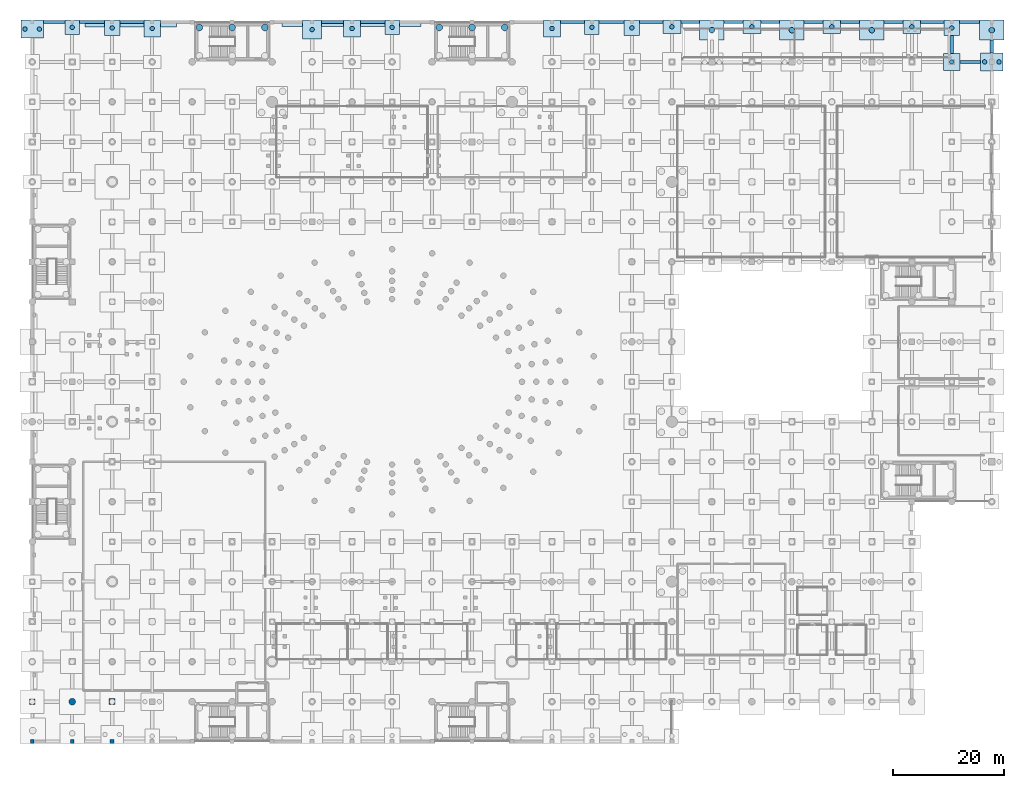
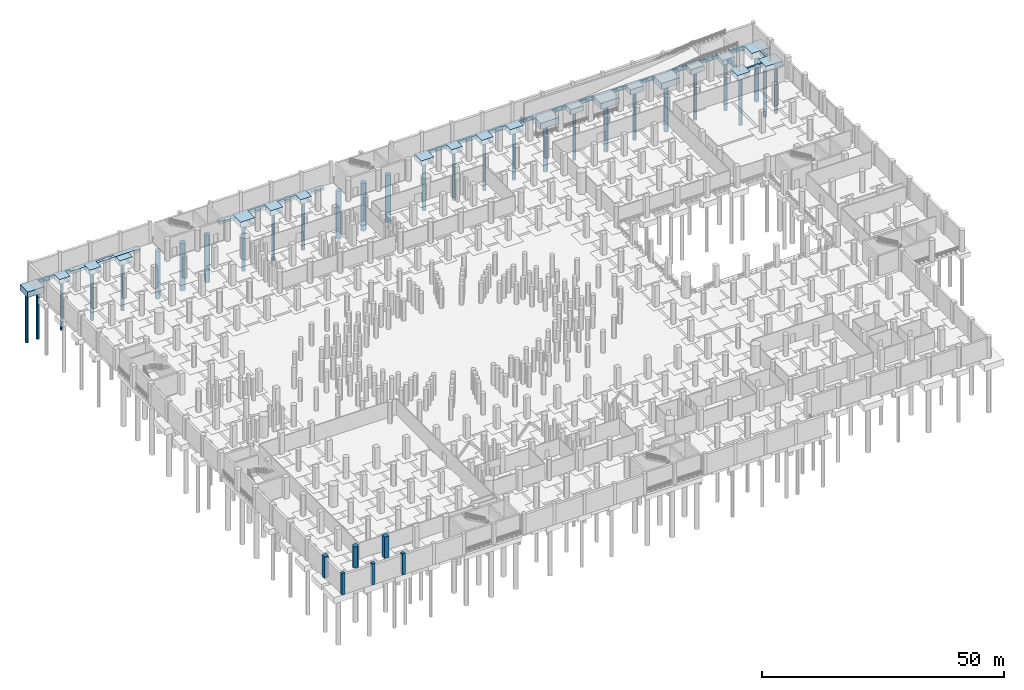
# One storey, part 16 of 37: 42 footings, 29 piles, 6 columns.
"""IFC4 building model written with IfcOpenShell, lengths in metres."""

from ifc_helpers import new_model, si_unit, direction, frame, origin, origin_2d, place, context, subcontext, project, spatial, rectangle, circle, extrude, material, material_profile, profile_set, type_object, element, save


model = new_model("IFC4")

# Units and contexts
model_context = context("Model", 3, precision=1e-05, world=origin(), true_north=direction((0.0, 1.0)))
body_context = subcontext(model_context, "Body", "Model", "MODEL_VIEW")
ifc_project = project(units=[si_unit("LENGTHUNIT", "METRE"), si_unit("AREAUNIT", "SQUARE_METRE"), si_unit("VOLUMEUNIT", "CUBIC_METRE"), si_unit("PLANEANGLEUNIT", "RADIAN"), si_unit("MASSUNIT", "GRAM", prefix="KILO")], contexts=[model_context])

# Site, building, storey
site_placement = place(None, origin())
site = spatial("IfcSite", under=ifc_project, at=site_placement, CompositionType="ELEMENT")
building_placement = place(site_placement, origin())
building = spatial("IfcBuilding", under=site, at=building_placement, Name="Qandorah Velis Arena", CompositionType="ELEMENT")
storey_placement = place(building_placement, frame((0.0, 0.0, -5.39990234375)))
storey = spatial("IfcBuildingStorey", under=building, at=storey_placement, Name="B1", CompositionType="ELEMENT", Elevation=-5.39990234375)

# Footings
ifc_material = material(Name="Concrete C40/50", Category="concrete")
footing_type_1 = type_object("IfcFootingType", Name="STR-CAP-PC10", PredefinedType="PILE_CAP", material=ifc_material)
for number, where, z_axis, x_axis, name in (
    (1, (7.199951171875, 128.6201171875, -1.2001953125), (0.0, 0.0, 1.0), (1.0, 0.0, 0.0), "Pile cap CAP-B1-037"),
    (2, (64.800048828125, 128.6201171875, -1.2001953125), (0.0, 0.0, 1.0), (1.0, 0.0, 0.0), "Pile cap CAP-B1-147"),
    (3, (100.800048828125, 128.6201171875, -1.2001953125), (0.0, 0.0, 1.0), (1.0, 0.0, 0.0), "Pile cap CAP-B1-207"),
):
    element("IfcFooting", number, at=place(storey_placement, frame(where, z_axis=z_axis, x_axis=x_axis)), inside=storey, type_object=footing_type_1, Name=name, PredefinedType="PILE_CAP", context=body_context, shape_type="SweptSolid", body=[
        extrude(rectangle(XDim=2.60009765625, YDim=2.60009765625, at=origin_2d()), origin(), (0.0, 0.0, 1.0), 1.199951171875),
    ])
footing_type_2 = type_object("IfcFootingType", Name="STR-CAP-PC14", PredefinedType="PILE_CAP", material=ifc_material)
for number, where, z_axis, x_axis, name in (
    (4, (0.0, 128.320068359375, -1.4501953125), (0.0, 0.0, 1.0), (1.0, 0.0, 0.0), "Pile cap CAP-B1-018"),
    (5, (172.800048828125, 122.39990234375, -1.4501953125), (0.0, 0.0, 1.0), (1.0, 0.0, 0.0), "Pile cap CAP-B1-358"),
):
    element("IfcFooting", number, at=place(storey_placement, frame(where, z_axis=z_axis, x_axis=x_axis)), inside=storey, type_object=footing_type_2, Name=name, PredefinedType="PILE_CAP", context=body_context, shape_type="SweptSolid", body=[
        extrude(rectangle(XDim=4.0, YDim=3.199951171875, at=origin_2d()), origin(), (0.0, 0.0, 1.0), 1.449951171875),
    ])
footing_type_3 = type_object("IfcFootingType", Name="STR-CAP-PC15", PredefinedType="PILE_CAP", material=ifc_material)
for number, where, z_axis, x_axis, name in (
    (6, (122.39990234375, 128.1201171875, -1.55029296875), (0.0, 0.0, 1.0), (1.0, 0.0, 0.0), "Pile cap CAP-B1-259"),
    (7, (136.800048828125, 128.1201171875, -1.55029296875), (0.0, 0.0, 1.0), (1.0, 0.0, 0.0), "Pile cap CAP-B1-289"),
    (8, (151.199951171875, 128.1201171875, -1.55029296875), (0.0, 0.0, 1.0), (1.0, 0.0, 0.0), "Pile cap CAP-B1-319"),
    (9, (172.800048828125, 128.1201171875, -1.55029296875), (0.0, 0.0, 1.0), (1.0, 0.0, 0.0), "Pile cap CAP-B1-359"),
):
    element("IfcFooting", number, at=place(storey_placement, frame(where, z_axis=z_axis, x_axis=x_axis)), inside=storey, type_object=footing_type_3, Name=name, PredefinedType="PILE_CAP", context=body_context, shape_type="SweptSolid", body=[
        extrude(rectangle(XDim=4.39990234375, YDim=3.60009765625, at=origin_2d()), origin(), (0.0, 0.0, 1.0), 1.550048828125),
    ])
footing_type_4 = type_object("IfcFootingType", Name="STR-CAP-PC6", PredefinedType="PILE_CAP", material=ifc_material)
footing_1_placement = place(storey_placement, frame((50.39990234375, 128.219970703125, -1.400146484375), z_axis=(0.0, 0.0, 1.0), x_axis=(1.0, 0.0, 0.0)))
element("IfcFooting", 10, at=footing_1_placement, inside=storey, type_object=footing_type_4, Name="Pile cap CAP-B1-123", PredefinedType="PILE_CAP", context=body_context, shape_type="SweptSolid", body=[
    extrude(rectangle(XDim=3.39990234375, YDim=3.39990234375, at=origin_2d()), origin(), (0.0, 0.0, 1.0), 1.39990234375),
])
footing_type_5 = type_object("IfcFootingType", Name="STR-CAP-PC7", PredefinedType="PILE_CAP", material=ifc_material)
for number, where, z_axis, x_axis, name in (
    (11, (115.199951171875, 128.719970703125, -1.35009765625), (0.0, 0.0, 1.0), (1.0, 0.0, 0.0), "Pile cap CAP-B1-244"),
    (12, (129.60009765625, 128.719970703125, -1.35009765625), (0.0, 0.0, 1.0), (1.0, 0.0, 0.0), "Pile cap CAP-B1-274"),
    (13, (144.0, 128.719970703125, -1.35009765625), (0.0, 0.0, 1.0), (1.0, 0.0, 0.0), "Pile cap CAP-B1-304"),
    (14, (158.39990234375, 128.719970703125, -1.35009765625), (0.0, 0.0, 1.0), (1.0, 0.0, 0.0), "Pile cap CAP-B1-334"),
):
    element("IfcFooting", number, at=place(storey_placement, frame(where, z_axis=z_axis, x_axis=x_axis)), inside=storey, type_object=footing_type_5, Name=name, PredefinedType="PILE_CAP", context=body_context, shape_type="SweptSolid", body=[
        extrude(rectangle(XDim=3.199951171875, YDim=2.39990234375, at=origin_2d()), origin(), (0.0, 0.0, 1.0), 1.35009765625),
    ])
footing_type_6 = type_object("IfcFootingType", Name="STR-CAP-PC8", PredefinedType="PILE_CAP", material=ifc_material)
for number, where, z_axis, x_axis, name in (
    (15, (21.60009765625, 128.419921875, -1.30029296875), (0.0, 0.0, 1.0), (1.0, 0.0, 0.0), "Pile cap CAP-B1-075"),
    (16, (57.60009765625, 128.419921875, -1.30029296875), (0.0, 0.0, 1.0), (1.0, 0.0, 0.0), "Pile cap CAP-B1-135"),
    (17, (93.60009765625, 128.419921875, -1.30029296875), (0.0, 0.0, 1.0), (1.0, 0.0, 0.0), "Pile cap CAP-B1-195"),
    (18, (165.60009765625, 122.39990234375, -1.30029296875), (0.0, 0.0, 1.0), (1.0, 0.0, 0.0), "Pile cap CAP-B1-345"),
):
    element("IfcFooting", number, at=place(storey_placement, frame(where, z_axis=z_axis, x_axis=x_axis)), inside=storey, type_object=footing_type_6, Name=name, PredefinedType="PILE_CAP", context=body_context, shape_type="SweptSolid", body=[
        extrude(rectangle(XDim=3.0, YDim=3.0, at=origin_2d()), origin(), (0.0, 0.0, 1.0), 1.300048828125),
    ])
footing_type_7 = type_object("IfcFootingType", Name="STR-CAP-PC9", PredefinedType="PILE_CAP", material=ifc_material)
for number, where, z_axis, x_axis, name in (
    (19, (14.39990234375, 128.52001953125, -1.25), (0.0, 0.0, 1.0), (1.0, 0.0, 0.0), "Pile cap CAP-B1-056"),
    (20, (108.0, 128.52001953125, -1.25), (0.0, 0.0, 1.0), (1.0, 0.0, 0.0), "Pile cap CAP-B1-226"),
    (21, (165.60009765625, 128.52001953125, -1.25), (0.0, 0.0, 1.0), (1.0, 0.0, 0.0), "Pile cap CAP-B1-346"),
):
    element("IfcFooting", number, at=place(storey_placement, frame(where, z_axis=z_axis, x_axis=x_axis)), inside=storey, type_object=footing_type_7, Name=name, PredefinedType="PILE_CAP", context=body_context, shape_type="SweptSolid", body=[
        extrude(rectangle(XDim=2.800048828125, YDim=2.800048828125, at=origin_2d()), origin(), (0.0, 0.0, 1.0), 1.25),
    ])
ifc_material_profile_1 = material_profile(ifc_material, rectangle(XDim=0.60009765625, YDim=0.89990234375, at=origin_2d()), Name="GB1 600x900")
ifc_profile_set_1 = profile_set([ifc_material_profile_1], Name="Concrete C40/50")
footing_type_8 = type_object("IfcFootingType", Name="STR-GB-FB1", PredefinedType="FOOTING_BEAM", material=ifc_profile_set_1)
footing_2_placement = place(storey_placement, frame((165.60009765625, 123.89990234375, -0.4501953125), z_axis=(0.0, 1.0, 0.0), x_axis=(-1.0, 0.0, 0.0)))
element("IfcFooting", 22, at=footing_2_placement, inside=storey, type_object=footing_type_8, Name="Ground tie beam GB-258", PredefinedType="FOOTING_BEAM", context=body_context, shape_type="SweptSolid", body=[
    extrude(rectangle(XDim=0.60009765625, YDim=0.89990234375, at=origin_2d()), origin(), (0.0, 0.0, 1.0), 3.22021484375),
])
footing_3_placement = place(storey_placement, frame((172.800048828125, 124.0, -0.4501953125), z_axis=(0.0, 1.0, 0.0), x_axis=(-1.0, 0.0, 0.0)))
element("IfcFooting", 23, at=footing_3_placement, inside=storey, type_object=footing_type_8, Name="Ground tie beam GB-270", PredefinedType="FOOTING_BEAM", context=body_context, shape_type="SweptSolid", body=[
    extrude(rectangle(XDim=0.60009765625, YDim=0.89990234375, at=origin_2d()), origin(), (0.0, 0.0, 1.0), 2.320068359375),
])
footing_4_placement = place(storey_placement, frame((8.5, 129.60009765625, -0.4501953125), z_axis=(1.0, 0.0, 0.0), x_axis=(0.0, 1.0, 0.0)))
element("IfcFooting", 24, at=footing_4_placement, inside=storey, type_object=footing_type_8, Name="Ground tie beam GB-531", PredefinedType="FOOTING_BEAM", context=body_context, shape_type="SweptSolid", body=[
    extrude(rectangle(XDim=0.60009765625, YDim=0.89990234375, at=origin_2d()), origin(), (0.0, 0.0, 1.0), 4.5),
])
footing_5_placement = place(storey_placement, frame((59.10009765625, 129.60009765625, -0.4501953125), z_axis=(1.0, 0.0, 0.0), x_axis=(0.0, 1.0, 0.0)))
element("IfcFooting", 25, at=footing_5_placement, inside=storey, type_object=footing_type_8, Name="Ground tie beam GB-534", PredefinedType="FOOTING_BEAM", context=body_context, shape_type="SweptSolid", body=[
    extrude(rectangle(XDim=0.60009765625, YDim=0.89990234375, at=origin_2d()), origin(), (0.0, 0.0, 1.0), 4.39990234375),
])
footing_6_placement = place(storey_placement, frame((109.39990234375, 129.60009765625, -0.4501953125), z_axis=(1.0, 0.0, 0.0), x_axis=(0.0, 1.0, 0.0)))
element("IfcFooting", 26, at=footing_6_placement, inside=storey, type_object=footing_type_8, Name="Ground tie beam GB-537", PredefinedType="FOOTING_BEAM", context=body_context, shape_type="SweptSolid", body=[
    extrude(rectangle(XDim=0.60009765625, YDim=0.89990234375, at=origin_2d()), origin(), (0.0, 0.0, 1.0), 4.2001953125),
])
for number, where, z_axis, x_axis, name in (
    (27, (131.199951171875, 129.60009765625, -0.4501953125), (1.0, 0.0, 0.0), (0.0, 1.0, 0.0), "Ground tie beam GB-540"),
    (28, (153.39990234375, 129.60009765625, -0.4501953125), (1.0, 0.0, 0.0), (0.0, 1.0, 0.0), "Ground tie beam GB-543"),
):
    element("IfcFooting", number, at=place(storey_placement, frame(where, z_axis=z_axis, x_axis=x_axis)), inside=storey, type_object=footing_type_8, Name=name, PredefinedType="FOOTING_BEAM", context=body_context, shape_type="SweptSolid", body=[
        extrude(rectangle(XDim=0.60009765625, YDim=0.89990234375, at=origin_2d()), origin(), (0.0, 0.0, 1.0), 3.400146484375),
    ])
ifc_material_profile_2 = material_profile(ifc_material, rectangle(XDim=0.5, YDim=0.800048828125, at=origin_2d()), Name="GB2 500x800")
ifc_profile_set_2 = profile_set([ifc_material_profile_2], Name="Concrete C40/50")
footing_type_9 = type_object("IfcFootingType", Name="STR-GB-FB2", PredefinedType="FOOTING_BEAM", material=ifc_profile_set_2)
footing_7_placement = place(storey_placement, frame((167.10009765625, 122.39990234375, -0.400146484375), z_axis=(1.0, 0.0, 0.0), x_axis=(0.0, 1.0, 0.0)))
element("IfcFooting", 29, at=footing_7_placement, inside=storey, type_object=footing_type_9, Name="Ground tie beam GB-529", PredefinedType="FOOTING_BEAM", context=body_context, shape_type="SweptSolid", body=[
    extrude(rectangle(XDim=0.5, YDim=0.800048828125, at=origin_2d()), origin(), (0.0, 0.0, 1.0), 3.699951171875),
])
footing_8_placement = place(storey_placement, frame((15.800048828125, 129.60009765625, -0.400146484375), z_axis=(1.0, 0.0, 0.0), x_axis=(0.0, 1.0, 0.0)))
element("IfcFooting", 30, at=footing_8_placement, inside=storey, type_object=footing_type_9, Name="Ground tie beam GB-532", PredefinedType="FOOTING_BEAM", context=body_context, shape_type="SweptSolid", body=[
    extrude(rectangle(XDim=0.5, YDim=0.800048828125, at=origin_2d()), origin(), (0.0, 0.0, 1.0), 4.300048828125),
])
footing_9_placement = place(storey_placement, frame((95.10009765625, 129.60009765625, -0.400146484375), z_axis=(1.0, 0.0, 0.0), x_axis=(0.0, 1.0, 0.0)))
element("IfcFooting", 31, at=footing_9_placement, inside=storey, type_object=footing_type_9, Name="Ground tie beam GB-535", PredefinedType="FOOTING_BEAM", context=body_context, shape_type="SweptSolid", body=[
    extrude(rectangle(XDim=0.5, YDim=0.800048828125, at=origin_2d()), origin(), (0.0, 0.0, 1.0), 4.39990234375),
])
for number, where, z_axis, x_axis, name in (
    (32, (116.800048828125, 129.60009765625, -0.400146484375), (1.0, 0.0, 0.0), (0.0, 1.0, 0.0), "Ground tie beam GB-538"),
    (33, (139.0, 129.60009765625, -0.400146484375), (1.0, 0.0, 0.0), (0.0, 1.0, 0.0), "Ground tie beam GB-541"),
):
    element("IfcFooting", number, at=place(storey_placement, frame(where, z_axis=z_axis, x_axis=x_axis)), inside=storey, type_object=footing_type_9, Name=name, PredefinedType="FOOTING_BEAM", context=body_context, shape_type="SweptSolid", body=[
        extrude(rectangle(XDim=0.5, YDim=0.800048828125, at=origin_2d()), origin(), (0.0, 0.0, 1.0), 3.39990234375),
    ])
footing_10_placement = place(storey_placement, frame((160.0, 129.60009765625, -0.400146484375), z_axis=(1.0, 0.0, 0.0), x_axis=(0.0, 1.0, 0.0)))
element("IfcFooting", 34, at=footing_10_placement, inside=storey, type_object=footing_type_9, Name="Ground tie beam GB-544", PredefinedType="FOOTING_BEAM", context=body_context, shape_type="SweptSolid", body=[
    extrude(rectangle(XDim=0.5, YDim=0.800048828125, at=origin_2d()), origin(), (0.0, 0.0, 1.0), 4.199951171875),
])
ifc_material_profile_3 = material_profile(ifc_material, rectangle(XDim=0.550048828125, YDim=0.85009765625, at=origin_2d()), Name="GB3 550x850")
ifc_profile_set_3 = profile_set([ifc_material_profile_3], Name="Concrete C40/50")
footing_type_10 = type_object("IfcFootingType", Name="STR-GB-FB3", PredefinedType="FOOTING_BEAM", material=ifc_profile_set_3)
footing_11_placement = place(storey_placement, frame((2.0, 129.60009765625, -0.425048828125), z_axis=(1.0, 0.0, 0.0), x_axis=(0.0, 1.0, 0.0)))
element("IfcFooting", 35, at=footing_11_placement, inside=storey, type_object=footing_type_10, Name="Ground tie beam GB-530", PredefinedType="FOOTING_BEAM", context=body_context, shape_type="SweptSolid", body=[
    extrude(rectangle(XDim=0.550048828125, YDim=0.85009765625, at=origin_2d()), origin(), (0.0, 0.0, 1.0), 3.89990234375),
])
footing_12_placement = place(storey_placement, frame((52.10009765625, 129.60009765625, -0.425048828125), z_axis=(1.0, 0.0, 0.0), x_axis=(0.0, 1.0, 0.0)))
element("IfcFooting", 36, at=footing_12_placement, inside=storey, type_object=footing_type_10, Name="Ground tie beam GB-533", PredefinedType="FOOTING_BEAM", context=body_context, shape_type="SweptSolid", body=[
    extrude(rectangle(XDim=0.550048828125, YDim=0.85009765625, at=origin_2d()), origin(), (0.0, 0.0, 1.0), 4.0),
])
footing_13_placement = place(storey_placement, frame((102.10009765625, 129.60009765625, -0.425048828125), z_axis=(1.0, 0.0, 0.0), x_axis=(0.0, 1.0, 0.0)))
element("IfcFooting", 37, at=footing_13_placement, inside=storey, type_object=footing_type_10, Name="Ground tie beam GB-536", PredefinedType="FOOTING_BEAM", context=body_context, shape_type="SweptSolid", body=[
    extrude(rectangle(XDim=0.550048828125, YDim=0.85009765625, at=origin_2d()), origin(), (0.0, 0.0, 1.0), 4.5),
])
for number, where, z_axis, x_axis, name in (
    (38, (124.60009765625, 129.60009765625, -0.425048828125), (1.0, 0.0, 0.0), (0.0, 1.0, 0.0), "Ground tie beam GB-539"),
    (39, (145.60009765625, 129.60009765625, -0.425048828125), (1.0, 0.0, 0.0), (0.0, 1.0, 0.0), "Ground tie beam GB-542"),
):
    element("IfcFooting", number, at=place(storey_placement, frame(where, z_axis=z_axis, x_axis=x_axis)), inside=storey, type_object=footing_type_10, Name=name, PredefinedType="FOOTING_BEAM", context=body_context, shape_type="SweptSolid", body=[
        extrude(rectangle(XDim=0.550048828125, YDim=0.85009765625, at=origin_2d()), origin(), (0.0, 0.0, 1.0), 3.39990234375),
    ])
footing_14_placement = place(storey_placement, frame((167.0, 129.60009765625, -0.425048828125), z_axis=(1.0, 0.0, 0.0), x_axis=(0.0, 1.0, 0.0)))
element("IfcFooting", 40, at=footing_14_placement, inside=storey, type_object=footing_type_10, Name="Ground tie beam GB-545", PredefinedType="FOOTING_BEAM", context=body_context, shape_type="SweptSolid", body=[
    extrude(rectangle(XDim=0.550048828125, YDim=0.85009765625, at=origin_2d()), origin(), (0.0, 0.0, 1.0), 3.60009765625),
])

# Piles
ifc_material_profile_4 = material_profile(ifc_material, circle(Radius=0.5, at=origin_2d()), Name="BORED PILE D1000")
ifc_profile_set_4 = profile_set([ifc_material_profile_4], Name="Concrete C40/50")
pile_type_1 = type_object("IfcPileType", Name="STR-PILE-BP1000", PredefinedType="BORED", material=ifc_profile_set_4)
for number, where, z_axis, x_axis, name in (
    (41, (122.39990234375, 128.1201171875, -1.4501953125), (0.0, 0.0, -1.0), (1.0, 0.0, 0.0), "Bored pile PILE-CAP-B1-259-11"),
    (42, (136.800048828125, 128.1201171875, -1.4501953125), (0.0, 0.0, -1.0), (1.0, 0.0, 0.0), "Bored pile PILE-CAP-B1-289-11"),
    (43, (151.199951171875, 128.1201171875, -1.4501953125), (0.0, 0.0, -1.0), (1.0, 0.0, 0.0), "Bored pile PILE-CAP-B1-319-11"),
    (44, (172.800048828125, 128.1201171875, -1.4501953125), (0.0, 0.0, -1.0), (1.0, 0.0, 0.0), "Bored pile PILE-CAP-B1-359-11"),
):
    element("IfcPile", number, at=place(storey_placement, frame(where, z_axis=z_axis, x_axis=x_axis)), inside=storey, type_object=pile_type_1, Name=name, PredefinedType="BORED", context=body_context, shape_type="SweptSolid", body=[
        extrude(circle(Radius=0.5, at=origin_2d()), origin(), (0.0, 0.0, 1.0), 12.35009765625),
    ])
ifc_material_profile_5 = material_profile(ifc_material, circle(Radius=0.60009765625, at=origin_2d()), Name="BORED PILE D1200")
ifc_profile_set_5 = profile_set([ifc_material_profile_5], Name="Concrete C40/50")
pile_type_2 = type_object("IfcPileType", Name="STR-PILE-BP1200", PredefinedType="BORED", material=ifc_profile_set_5)
for number, where, z_axis, x_axis, name in (
    (45, (30.10009765625, 128.60009765625, -1.7001953125), (0.0, 0.0, -1.0), (1.0, 0.0, 0.0), "Bored pile PILE-CAP-CORE-CORE-03-12"),
    (46, (36.0, 128.60009765625, -1.7001953125), (0.0, 0.0, -1.0), (1.0, 0.0, 0.0), "Bored pile PILE-CAP-CORE-CORE-03-22"),
    (47, (41.89990234375, 128.60009765625, -1.7001953125), (0.0, 0.0, -1.0), (1.0, 0.0, 0.0), "Bored pile PILE-CAP-CORE-CORE-03-32"),
    (48, (73.300048828125, 128.60009765625, -1.7001953125), (0.0, 0.0, -1.0), (1.0, 0.0, 0.0), "Bored pile PILE-CAP-CORE-CORE-04-12"),
    (49, (79.199951171875, 128.60009765625, -1.7001953125), (0.0, 0.0, -1.0), (1.0, 0.0, 0.0), "Bored pile PILE-CAP-CORE-CORE-04-22"),
    (50, (85.10009765625, 128.60009765625, -1.7001953125), (0.0, 0.0, -1.0), (1.0, 0.0, 0.0), "Bored pile PILE-CAP-CORE-CORE-04-32"),
):
    element("IfcPile", number, at=place(storey_placement, frame(where, z_axis=z_axis, x_axis=x_axis)), inside=storey, type_object=pile_type_2, Name=name, PredefinedType="BORED", context=body_context, shape_type="SweptSolid", body=[
        extrude(circle(Radius=0.60009765625, at=origin_2d()), origin(), (0.0, 0.0, 1.0), 12.10009765625),
    ])
ifc_material_profile_6 = material_profile(ifc_material, circle(Radius=0.39990234375, at=origin_2d()), Name="BORED PILE D800")
ifc_profile_set_6 = profile_set([ifc_material_profile_6], Name="Concrete C40/50")
pile_type_3 = type_object("IfcPileType", Name="STR-PILE-BP800", PredefinedType="BORED", material=ifc_profile_set_6)
for number, where, z_axis, x_axis, name in (
    (51, (-1.300048828125, 128.320068359375, -1.35009765625), (0.0, 0.0, -1.0), (1.0, 0.0, 0.0), "Bored pile PILE-CAP-B1-018-11"),
    (52, (1.300048828125, 128.320068359375, -1.35009765625), (0.0, 0.0, -1.0), (1.0, 0.0, 0.0), "Bored pile PILE-CAP-B1-018-21"),
):
    element("IfcPile", number, at=place(storey_placement, frame(where, z_axis=z_axis, x_axis=x_axis)), inside=storey, type_object=pile_type_3, Name=name, PredefinedType="BORED", context=body_context, shape_type="SweptSolid", body=[
        extrude(circle(Radius=0.39990234375, at=origin_2d()), origin(), (0.0, 0.0, 1.0), 12.449951171875),
    ])
pile_1_placement = place(storey_placement, frame((7.199951171875, 128.6201171875, -1.10009765625), z_axis=(0.0, 0.0, -1.0), x_axis=(1.0, 0.0, 0.0)))
element("IfcPile", 53, at=pile_1_placement, inside=storey, type_object=pile_type_3, Name="Bored pile PILE-CAP-B1-037-11", PredefinedType="BORED", context=body_context, shape_type="SweptSolid", body=[
    extrude(circle(Radius=0.39990234375, at=origin_2d()), origin(), (0.0, 0.0, 1.0), 12.699951171875),
])
pile_2_placement = place(storey_placement, frame((14.39990234375, 128.52001953125, -1.150146484375), z_axis=(0.0, 0.0, -1.0), x_axis=(1.0, 0.0, 0.0)))
element("IfcPile", 54, at=pile_2_placement, inside=storey, type_object=pile_type_3, Name="Bored pile PILE-CAP-B1-056-11", PredefinedType="BORED", context=body_context, shape_type="SweptSolid", body=[
    extrude(circle(Radius=0.39990234375, at=origin_2d()), origin(), (0.0, 0.0, 1.0), 12.64990234375),
])
pile_3_placement = place(storey_placement, frame((21.60009765625, 128.419921875, -1.2001953125), z_axis=(0.0, 0.0, -1.0), x_axis=(1.0, 0.0, 0.0)))
element("IfcPile", 55, at=pile_3_placement, inside=storey, type_object=pile_type_3, Name="Bored pile PILE-CAP-B1-075-11", PredefinedType="BORED", context=body_context, shape_type="SweptSolid", body=[
    extrude(circle(Radius=0.39990234375, at=origin_2d()), origin(), (0.0, 0.0, 1.0), 12.60009765625),
])
pile_4_placement = place(storey_placement, frame((50.39990234375, 128.219970703125, -1.300048828125), z_axis=(0.0, 0.0, -1.0), x_axis=(1.0, 0.0, 0.0)))
element("IfcPile", 56, at=pile_4_placement, inside=storey, type_object=pile_type_3, Name="Bored pile PILE-CAP-B1-123-11", PredefinedType="BORED", context=body_context, shape_type="SweptSolid", body=[
    extrude(circle(Radius=0.39990234375, at=origin_2d()), origin(), (0.0, 0.0, 1.0), 12.5),
])
pile_5_placement = place(storey_placement, frame((57.60009765625, 128.419921875, -1.2001953125), z_axis=(0.0, 0.0, -1.0), x_axis=(1.0, 0.0, 0.0)))
element("IfcPile", 57, at=pile_5_placement, inside=storey, type_object=pile_type_3, Name="Bored pile PILE-CAP-B1-135-11", PredefinedType="BORED", context=body_context, shape_type="SweptSolid", body=[
    extrude(circle(Radius=0.39990234375, at=origin_2d()), origin(), (0.0, 0.0, 1.0), 12.60009765625),
])
pile_6_placement = place(storey_placement, frame((64.800048828125, 128.6201171875, -1.10009765625), z_axis=(0.0, 0.0, -1.0), x_axis=(1.0, 0.0, 0.0)))
element("IfcPile", 58, at=pile_6_placement, inside=storey, type_object=pile_type_3, Name="Bored pile PILE-CAP-B1-147-11", PredefinedType="BORED", context=body_context, shape_type="SweptSolid", body=[
    extrude(circle(Radius=0.39990234375, at=origin_2d()), origin(), (0.0, 0.0, 1.0), 12.699951171875),
])
pile_7_placement = place(storey_placement, frame((93.60009765625, 128.419921875, -1.2001953125), z_axis=(0.0, 0.0, -1.0), x_axis=(1.0, 0.0, 0.0)))
element("IfcPile", 59, at=pile_7_placement, inside=storey, type_object=pile_type_3, Name="Bored pile PILE-CAP-B1-195-11", PredefinedType="BORED", context=body_context, shape_type="SweptSolid", body=[
    extrude(circle(Radius=0.39990234375, at=origin_2d()), origin(), (0.0, 0.0, 1.0), 12.60009765625),
])
pile_8_placement = place(storey_placement, frame((100.800048828125, 128.6201171875, -1.10009765625), z_axis=(0.0, 0.0, -1.0), x_axis=(1.0, 0.0, 0.0)))
element("IfcPile", 60, at=pile_8_placement, inside=storey, type_object=pile_type_3, Name="Bored pile PILE-CAP-B1-207-11", PredefinedType="BORED", context=body_context, shape_type="SweptSolid", body=[
    extrude(circle(Radius=0.39990234375, at=origin_2d()), origin(), (0.0, 0.0, 1.0), 12.699951171875),
])
pile_9_placement = place(storey_placement, frame((108.0, 128.52001953125, -1.150146484375), z_axis=(0.0, 0.0, -1.0), x_axis=(1.0, 0.0, 0.0)))
element("IfcPile", 61, at=pile_9_placement, inside=storey, type_object=pile_type_3, Name="Bored pile PILE-CAP-B1-226-11", PredefinedType="BORED", context=body_context, shape_type="SweptSolid", body=[
    extrude(circle(Radius=0.39990234375, at=origin_2d()), origin(), (0.0, 0.0, 1.0), 12.64990234375),
])
for number, where, z_axis, x_axis, name in (
    (62, (115.199951171875, 128.719970703125, -1.25), (0.0, 0.0, -1.0), (1.0, 0.0, 0.0), "Bored pile PILE-CAP-B1-244-11"),
    (63, (129.60009765625, 128.719970703125, -1.25), (0.0, 0.0, -1.0), (1.0, 0.0, 0.0), "Bored pile PILE-CAP-B1-274-11"),
    (64, (144.0, 128.719970703125, -1.25), (0.0, 0.0, -1.0), (1.0, 0.0, 0.0), "Bored pile PILE-CAP-B1-304-11"),
    (65, (158.39990234375, 128.719970703125, -1.25), (0.0, 0.0, -1.0), (1.0, 0.0, 0.0), "Bored pile PILE-CAP-B1-334-11"),
):
    element("IfcPile", number, at=place(storey_placement, frame(where, z_axis=z_axis, x_axis=x_axis)), inside=storey, type_object=pile_type_3, Name=name, PredefinedType="BORED", context=body_context, shape_type="SweptSolid", body=[
        extrude(circle(Radius=0.39990234375, at=origin_2d()), origin(), (0.0, 0.0, 1.0), 12.550048828125),
    ])
pile_10_placement = place(storey_placement, frame((165.60009765625, 122.39990234375, -1.2001953125), z_axis=(0.0, 0.0, -1.0), x_axis=(1.0, 0.0, 0.0)))
element("IfcPile", 66, at=pile_10_placement, inside=storey, type_object=pile_type_3, Name="Bored pile PILE-CAP-B1-345-11", PredefinedType="BORED", context=body_context, shape_type="SweptSolid", body=[
    extrude(circle(Radius=0.39990234375, at=origin_2d()), origin(), (0.0, 0.0, 1.0), 12.60009765625),
])
pile_11_placement = place(storey_placement, frame((165.60009765625, 128.52001953125, -1.150146484375), z_axis=(0.0, 0.0, -1.0), x_axis=(1.0, 0.0, 0.0)))
element("IfcPile", 67, at=pile_11_placement, inside=storey, type_object=pile_type_3, Name="Bored pile PILE-CAP-B1-346-11", PredefinedType="BORED", context=body_context, shape_type="SweptSolid", body=[
    extrude(circle(Radius=0.39990234375, at=origin_2d()), origin(), (0.0, 0.0, 1.0), 12.64990234375),
])
for number, where, z_axis, x_axis, name in (
    (68, (171.5, 122.39990234375, -1.35009765625), (0.0, 0.0, -1.0), (1.0, 0.0, 0.0), "Bored pile PILE-CAP-B1-358-11"),
    (69, (174.10009765625, 122.39990234375, -1.35009765625), (0.0, 0.0, -1.0), (1.0, 0.0, 0.0), "Bored pile PILE-CAP-B1-358-21"),
):
    element("IfcPile", number, at=place(storey_placement, frame(where, z_axis=z_axis, x_axis=x_axis)), inside=storey, type_object=pile_type_3, Name=name, PredefinedType="BORED", context=body_context, shape_type="SweptSolid", body=[
        extrude(circle(Radius=0.39990234375, at=origin_2d()), origin(), (0.0, 0.0, 1.0), 12.449951171875),
    ])

# Footings
ifc_material_profile_7 = material_profile(ifc_material, rectangle(XDim=1.199951171875, YDim=0.699951171875, at=origin_2d()), Name="SF1 1200x700")
ifc_profile_set_7 = profile_set([ifc_material_profile_7], Name="Concrete C40/50")
footing_type_11 = type_object("IfcFootingType", Name="STR-SF-SF1", PredefinedType="STRIP_FOOTING", material=ifc_profile_set_7)
footing_15_placement = place(storey_placement, frame((9.5, 129.300048828125, -0.35009765625), z_axis=(1.0, 0.0, 0.0), x_axis=(0.0, 1.0, 0.0)))
element("IfcFooting", 70, at=footing_15_placement, inside=storey, type_object=footing_type_11, Name="Perimeter strip footing SF-07", PredefinedType="STRIP_FOOTING", context=body_context, shape_type="SweptSolid", body=[
    extrude(rectangle(XDim=1.199951171875, YDim=0.699951171875, at=origin_2d()), origin(), (0.0, 0.0, 1.0), 16.5),
])
ifc_material_profile_8 = material_profile(ifc_material, rectangle(XDim=1.050048828125, YDim=0.64990234375, at=origin_2d()), Name="SF2 1050x650")
ifc_profile_set_8 = profile_set([ifc_material_profile_8], Name="Concrete C40/50")
footing_type_12 = type_object("IfcFootingType", Name="STR-SF-SF2", PredefinedType="STRIP_FOOTING", material=ifc_profile_set_8)
footing_16_placement = place(storey_placement, frame((45.0, 129.300048828125, -0.35009765625), z_axis=(1.0, 0.0, 0.0), x_axis=(0.0, 1.0, 0.0)))
element("IfcFooting", 71, at=footing_16_placement, inside=storey, type_object=footing_type_12, Name="Perimeter strip footing SF-08", PredefinedType="STRIP_FOOTING", context=body_context, shape_type="SweptSolid", body=[
    extrude(rectangle(XDim=1.050048828125, YDim=0.64990234375, at=origin_2d()), origin(), (0.0, 0.0, 1.0), 25.0),
])

# Columns
ifc_material_profile_9 = material_profile(ifc_material, rectangle(XDim=1.0, YDim=1.0, at=origin_2d()), Name="RC COL 1000x1000")
ifc_profile_set_9 = profile_set([ifc_material_profile_9], Name="Concrete C40/50")
column_type_1 = type_object("IfcColumnType", Name="STR-COL-RC1000", PredefinedType="COLUMN", material=ifc_profile_set_9)
column_1_placement = place(storey_placement, frame((0.0, 7.199951171875, 0.0), z_axis=(0.0, 0.0, 1.0), x_axis=(1.0, 0.0, 0.0)))
element("IfcColumn", 72, at=column_1_placement, inside=storey, type_object=column_type_1, Name="Structural column B1-001", PredefinedType="COLUMN", context=body_context, shape_type="SweptSolid", body=[
    extrude(rectangle(XDim=1.0, YDim=1.0, at=origin_2d()), origin(), (0.0, 0.0, 1.0), 5.39990234375),
])
ifc_material_profile_10 = material_profile(ifc_material, rectangle(XDim=1.10009765625, YDim=1.10009765625, at=origin_2d()), Name="RC COL 1100x1100")
ifc_profile_set_10 = profile_set([ifc_material_profile_10], Name="Concrete C40/50")
column_type_2 = type_object("IfcColumnType", Name="STR-COL-RC1100", PredefinedType="COLUMN", material=ifc_profile_set_10)
column_2_placement = place(storey_placement, frame((14.39990234375, 7.199951171875, 0.0), z_axis=(0.0, 0.0, 1.0), x_axis=(1.0, 0.0, 0.0)))
element("IfcColumn", 73, at=column_2_placement, inside=storey, type_object=column_type_2, Name="Structural column B1-039", PredefinedType="COLUMN", context=body_context, shape_type="SweptSolid", body=[
    extrude(rectangle(XDim=1.10009765625, YDim=1.10009765625, at=origin_2d()), origin(), (0.0, 0.0, 1.0), 5.39990234375),
])
ifc_material_profile_11 = material_profile(ifc_material, rectangle(XDim=0.699951171875, YDim=0.699951171875, at=origin_2d()), Name="RC COL 700x700")
ifc_profile_set_11 = profile_set([ifc_material_profile_11], Name="Concrete C40/50")
column_type_3 = type_object("IfcColumnType", Name="STR-COL-RC700", PredefinedType="COLUMN", material=ifc_profile_set_11)
for number, where, z_axis, x_axis, name in (
    (74, (0.0, 0.0, 0.0), (0.0, 0.0, 1.0), (1.0, 0.0, 0.0), "Structural column B1-000"),
    (75, (7.199951171875, 0.0, 0.0), (0.0, 0.0, 1.0), (1.0, 0.0, 0.0), "Structural column B1-019"),
    (76, (14.39990234375, 0.0, 0.0), (0.0, 0.0, 1.0), (1.0, 0.0, 0.0), "Structural column B1-038"),
):
    element("IfcColumn", number, at=place(storey_placement, frame(where, z_axis=z_axis, x_axis=x_axis)), inside=storey, type_object=column_type_3, Name=name, PredefinedType="COLUMN", context=body_context, shape_type="SweptSolid", body=[
        extrude(rectangle(XDim=0.699951171875, YDim=0.699951171875, at=origin_2d()), origin(), (0.0, 0.0, 1.0), 5.39990234375),
    ])
ifc_material_profile_12 = material_profile(ifc_material, circle(Radius=0.60009765625, at=origin_2d()), Name="RC D1200")
ifc_profile_set_12 = profile_set([ifc_material_profile_12], Name="Concrete C40/50")
column_type_4 = type_object("IfcColumnType", Name="STR-COL-RCD1200", PredefinedType="COLUMN", material=ifc_profile_set_12)
column_3_placement = place(storey_placement, frame((7.199951171875, 7.199951171875, 0.0), z_axis=(0.0, 0.0, 1.0), x_axis=(1.0, 0.0, 0.0)))
element("IfcColumn", 77, at=column_3_placement, inside=storey, type_object=column_type_4, Name="Structural column B1-020", PredefinedType="COLUMN", context=body_context, shape_type="SweptSolid", body=[
    extrude(circle(Radius=0.60009765625, at=origin_2d()), origin(), (0.0, 0.0, 1.0), 5.39990234375),
])

save(model, "model.ifc")
